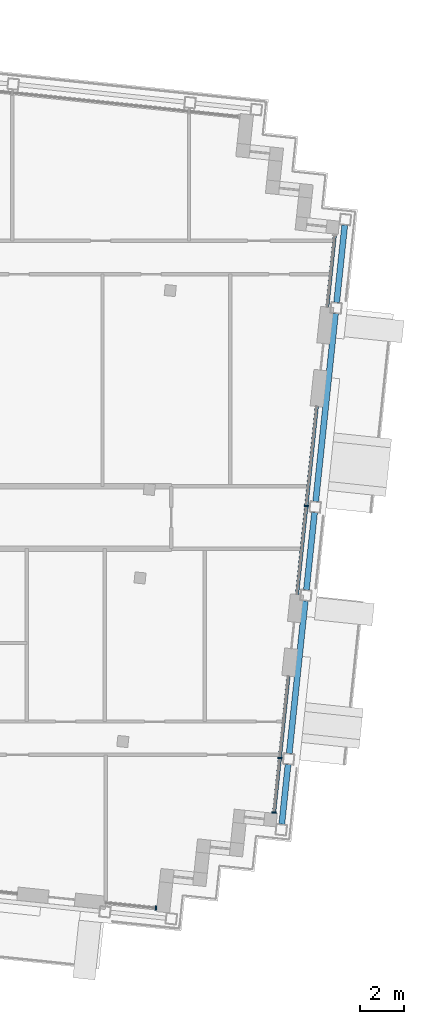
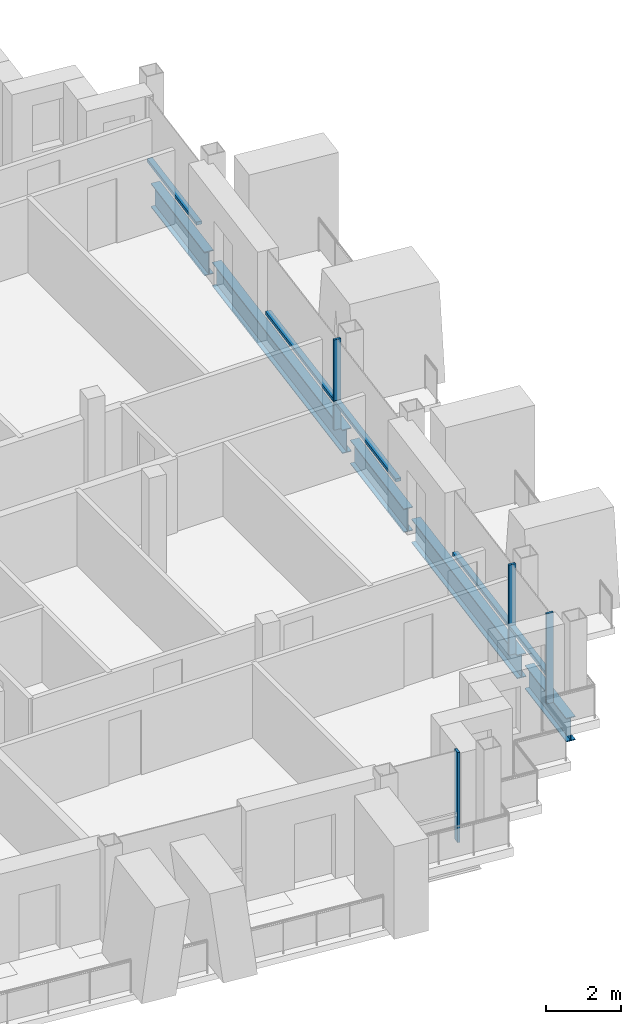
# One storey, part 4 of 16: 9 members, 5 beams, 4 elements without a shape of their own.
"""IFC4 building model written with IfcOpenShell, lengths in metres."""

from ifc_helpers import new_model, si_unit, direction, frame, origin, origin_2d, place, context, subcontext, project, spatial, rectangle, i_section, extrude, material, material_profile, profile_set, type_object, element, aggregate, save


model = new_model("IFC4")

# Units and contexts
model_context = context("Model", 3, precision=1e-05, world=origin(), true_north=direction((0.0, 1.0)))
body_context = subcontext(model_context, "Body", "Model", "MODEL_VIEW")
ifc_project = project(units=[si_unit("LENGTHUNIT", "METRE"), si_unit("AREAUNIT", "SQUARE_METRE"), si_unit("VOLUMEUNIT", "CUBIC_METRE"), si_unit("PLANEANGLEUNIT", "RADIAN"), si_unit("MASSUNIT", "GRAM", prefix="KILO")], contexts=[model_context])

# Site, building, storey
site_placement = place(None, origin())
site = spatial("IfcSite", under=ifc_project, at=site_placement, CompositionType="ELEMENT")
building_placement = place(site_placement, origin())
building = spatial("IfcBuilding", under=site, at=building_placement, Name="Vidyagriha Tower", CompositionType="ELEMENT")
storey_placement = place(building_placement, frame((0.0, 0.0, 259.5)))
storey = spatial("IfcBuildingStorey", under=building, at=storey_placement, Name="L67", CompositionType="ELEMENT", Elevation=259.5)

# Beams
ifc_material_1 = material(Name="Steel ASTM A992 Grade 50", Category="steel")
ifc_material_profile_1 = material_profile(ifc_material_1, i_section(OverallWidth=0.2666015625, OverallDepth=0.76953125, WebThickness=0.015625, FlangeThickness=0.025390625, at=origin_2d()), Name="W30X132")
ifc_profile_set_1 = profile_set([ifc_material_profile_1], Name="Steel ASTM A992 Grade 50")
beam_type = type_object("IfcBeamType", Name="Cantilever edge beam W30X132", PredefinedType="SPANDREL", material=ifc_profile_set_1)
beam_1_placement = place(storey_placement, frame((29.968017578125, -13.79736328125, -0.664794921875), z_axis=(0.104435320588, 0.994531680649, 0.0), x_axis=(-0.994531680649, 0.104435320588, 0.0)))
element("IfcBeam", 1, at=beam_1_placement, inside=storey, type_object=beam_type, Name="st-beam-L67-E13", PredefinedType="SPANDREL", context=body_context, shape_type="SweptSolid", body=[
    extrude(i_section(OverallWidth=0.2666015625, OverallDepth=0.76953125, WebThickness=0.015625, FlangeThickness=0.025390625, at=origin_2d()), origin(), (0.0, 0.0, 1.0), 2.699951171875),
])
beam_2_placement = place(storey_placement, frame((30.30224609375, -10.61474609375, -0.664794921875), z_axis=(0.104557694553, 0.994518822602, 0.0), x_axis=(-0.994518822602, 0.104557694553, 0.0)))
element("IfcBeam", 2, at=beam_2_placement, inside=storey, type_object=beam_type, Name="st-beam-L67-E14", PredefinedType="SPANDREL", context=body_context, shape_type="SweptSolid", body=[
    extrude(i_section(OverallWidth=0.2666015625, OverallDepth=0.76953125, WebThickness=0.015625, FlangeThickness=0.025390625, at=origin_2d()), origin(), (0.0, 0.0, 1.0), 6.89990234375),
])
beam_3_placement = place(storey_placement, frame((31.075927734375, -3.25537109375, -0.664794921875), z_axis=(0.104495960989, 0.994525310958, 0.0), x_axis=(-0.994525310958, 0.104495960989, 0.0)))
element("IfcBeam", 3, at=beam_3_placement, inside=storey, type_object=beam_type, Name="st-beam-L67-E15", PredefinedType="SPANDREL", context=body_context, shape_type="SweptSolid", body=[
    extrude(i_section(OverallWidth=0.2666015625, OverallDepth=0.76953125, WebThickness=0.015625, FlangeThickness=0.025390625, at=origin_2d()), origin(), (0.0, 0.0, 1.0), 3.499755859375),
])
beam_4_placement = place(storey_placement, frame((31.493896484375, 0.72265625, -0.664794921875), z_axis=(0.104550220202, 0.994519608382, 0.0), x_axis=(-0.994519608382, 0.104550220202, 0.0)))
element("IfcBeam", 4, at=beam_4_placement, inside=storey, type_object=beam_type, Name="st-beam-L67-E16", PredefinedType="SPANDREL", context=body_context, shape_type="SweptSolid", body=[
    extrude(i_section(OverallWidth=0.2666015625, OverallDepth=0.76953125, WebThickness=0.015625, FlangeThickness=0.025390625, at=origin_2d()), origin(), (0.0, 0.0, 1.0), 8.5),
])
beam_5_placement = place(storey_placement, frame((32.434814453125, 9.67333984375, -0.664794921875), z_axis=(0.104488712073, 0.994526072584, 0.0), x_axis=(-0.994526072584, 0.104488712073, 0.0)))
element("IfcBeam", 5, at=beam_5_placement, inside=storey, type_object=beam_type, Name="st-beam-L67-E17", PredefinedType="SPANDREL", context=body_context, shape_type="SweptSolid", body=[
    extrude(i_section(OverallWidth=0.2666015625, OverallDepth=0.76953125, WebThickness=0.015625, FlangeThickness=0.025390625, at=origin_2d()), origin(), (0.0, 0.0, 1.0), 3.5),
])

# Curtain wall, member
ifc_material_2 = material(Name="Aluminium and glass curtain wall", Category="aluminium")
curtain_wall_type = type_object("IfcCurtainWallType", Name="Dwelling skin unitised curtain wall", PredefinedType="USERDEFINED", material=ifc_material_2)
curtain_wall_1_placement = place(storey_placement, origin())
curtain_wall_1 = element("IfcCurtainWall", 6, at=curtain_wall_1_placement, inside=storey, type_object=curtain_wall_type, Name="CW1 dwelling skin", ObjectType="UNITISED", PredefinedType="USERDEFINED")
ifc_material_3 = material(Name="Aluminium black anodised", Category="aluminium")
ifc_material_profile_2 = material_profile(ifc_material_3, rectangle(XDim=0.199951171875, YDim=0.070068359375, at=origin_2d()), Name="Mullion 70x200 black aluminium")
ifc_profile_set_2 = profile_set([ifc_material_profile_2], Name="Aluminium black anodised")
member_type_1 = type_object("IfcMemberType", Name="Mullion 70x200 black aluminium", PredefinedType="MULLION", material=ifc_profile_set_2)
member_1_placement = place(storey_placement, frame((24.306884765625, -17.576171875, 0.0), z_axis=(0.0, 0.0, 1.0), x_axis=(0.10452182883, 0.994522592653, 0.0)))
member_1 = element("IfcMember", 7, at=member_1_placement, type_object=member_type_1, Name="CW1 mullion 2", PredefinedType="MULLION", context=body_context, shape_type="SweptSolid", body=[
    extrude(rectangle(XDim=0.199951171875, YDim=0.070068359375, at=origin_2d()), origin(), (0.0, 0.0, 1.0), 2.919921875),
])
aggregate(curtain_wall_1, [member_1])

# Curtain wall, members
curtain_wall_2_placement = place(storey_placement, origin())
curtain_wall_2 = element("IfcCurtainWall", 8, at=curtain_wall_2_placement, inside=storey, type_object=curtain_wall_type, Name="CW1 dwelling skin", ObjectType="UNITISED", PredefinedType="USERDEFINED")
member_2_placement = place(storey_placement, frame((29.620849609375, -13.273193359375, 0.0), z_axis=(0.0, 0.0, 1.0), x_axis=(-0.994521437861, 0.10453281607, 0.0)))
member_2 = element("IfcMember", 9, at=member_2_placement, type_object=member_type_1, Name="CW1 mullion 1", PredefinedType="MULLION", context=body_context, shape_type="SweptSolid", body=[
    extrude(rectangle(XDim=0.199951171875, YDim=0.070068359375, at=origin_2d()), origin(), (0.0, 0.0, 1.0), 2.919921875),
])
member_3_placement = place(storey_placement, frame((29.87841796875, -10.82177734375, 0.0), z_axis=(0.0, 0.0, 1.0), x_axis=(-0.994521437861, 0.10453281607, 0.0)))
member_3 = element("IfcMember", 10, at=member_3_placement, type_object=member_type_1, Name="CW1 mullion 2", PredefinedType="MULLION", context=body_context, shape_type="SweptSolid", body=[
    extrude(rectangle(XDim=0.199951171875, YDim=0.070068359375, at=origin_2d()), origin(), (0.0, 0.0, 1.0), 2.919921875),
])

# Curtain wall, member
curtain_wall_3_placement = place(storey_placement, origin())
curtain_wall_3 = element("IfcCurtainWall", 11, at=curtain_wall_3_placement, inside=storey, type_object=curtain_wall_type, Name="CW1 dwelling skin", ObjectType="UNITISED", PredefinedType="USERDEFINED")
member_4_placement = place(storey_placement, frame((31.070068359375, 0.515869140625, 0.0), z_axis=(0.0, 0.0, 1.0), x_axis=(-0.994521750347, 0.104529843047, 0.0)))
member_4 = element("IfcMember", 12, at=member_4_placement, type_object=member_type_1, Name="CW1 mullion 2", PredefinedType="MULLION", context=body_context, shape_type="SweptSolid", body=[
    extrude(rectangle(XDim=0.199951171875, YDim=0.070068359375, at=origin_2d()), origin(), (0.0, 0.0, 1.0), 2.919921875),
])

# Member
ifc_material_4 = material(Name="Aluminium black anodised", Category="aluminium")
ifc_material_profile_3 = material_profile(ifc_material_4, rectangle(XDim=0.159912109375, YDim=0.10009765625, at=origin_2d()), Name="Transom 100x160 black aluminium")
ifc_profile_set_3 = profile_set([ifc_material_profile_3], Name="Aluminium black anodised")
member_type_2 = type_object("IfcMemberType", Name="Transom 100x160 black aluminium", PredefinedType="USERDEFINED", material=ifc_profile_set_3)
member_5_placement = place(storey_placement, frame((29.62451171875, -13.23828125, 0.89990234375), z_axis=(0.104488443352, 0.994526100817, 0.0), x_axis=(-0.994526100817, 0.104488443352, 0.0)))
member_5 = element("IfcMember", 13, at=member_5_placement, type_object=member_type_2, Name="CW1 transom 1.1", ObjectType="TRANSOM", PredefinedType="USERDEFINED", context=body_context, shape_type="SweptSolid", body=[
    extrude(rectangle(XDim=0.159912109375, YDim=0.10009765625, at=origin_2d()), origin(), (0.0, 0.0, 1.0), 2.39501953125),
])

member_6_placement = place(storey_placement, frame((29.882080078125, -10.786865234375, 0.89990234375), z_axis=(0.104521800028, 0.99452259568, 0.0), x_axis=(-0.99452259568, 0.104521800028, 0.0)))
member_6 = element("IfcMember", 14, at=member_6_placement, type_object=member_type_2, Name="CW1 transom 2.1", ObjectType="TRANSOM", PredefinedType="USERDEFINED", context=body_context, shape_type="SweptSolid", body=[
    extrude(rectangle(XDim=0.159912109375, YDim=0.10009765625, at=origin_2d()), origin(), (0.0, 0.0, 1.0), 3.664794921875),
])

aggregate(curtain_wall_2, [member_2, member_3, member_5, member_6])

member_7_placement = place(storey_placement, frame((30.65185546875, -3.462158203125, 0.89990234375), z_axis=(0.104550167438, 0.994519613929, 0.0), x_axis=(-0.994519613929, 0.104550167438, 0.0)))
member_7 = element("IfcMember", 15, at=member_7_placement, type_object=member_type_2, Name="CW1 transom 1.1", ObjectType="TRANSOM", PredefinedType="USERDEFINED", context=body_context, shape_type="SweptSolid", body=[
    extrude(rectangle(XDim=0.159912109375, YDim=0.10009765625, at=origin_2d()), origin(), (0.0, 0.0, 1.0), 3.965087890625),
])

member_8_placement = place(storey_placement, frame((31.07373046875, 0.55078125, 0.89990234375), z_axis=(0.104494075643, 0.994525509052, 0.0), x_axis=(-0.994525509052, 0.104494075643, 0.0)))
member_8 = element("IfcMember", 16, at=member_8_placement, type_object=member_type_2, Name="CW1 transom 2.1", ObjectType="TRANSOM", PredefinedType="USERDEFINED", context=body_context, shape_type="SweptSolid", body=[
    extrude(rectangle(XDim=0.159912109375, YDim=0.10009765625, at=origin_2d()), origin(), (0.0, 0.0, 1.0), 4.46484375),
])

aggregate(curtain_wall_3, [member_4, member_7, member_8])

# Curtain wall, member
curtain_wall_4_placement = place(storey_placement, origin())
curtain_wall_4 = element("IfcCurtainWall", 17, at=curtain_wall_4_placement, inside=storey, type_object=curtain_wall_type, Name="CW1 dwelling skin", ObjectType="UNITISED", PredefinedType="USERDEFINED")
member_9_placement = place(storey_placement, frame((32.0107421875, 9.466552734375, 0.89990234375), z_axis=(0.104531339354, 0.994521593075, 0.0), x_axis=(-0.994521593075, 0.104531339354, 0.0)))
member_9 = element("IfcMember", 18, at=member_9_placement, type_object=member_type_2, Name="CW1 transom 1.1", ObjectType="TRANSOM", PredefinedType="USERDEFINED", context=body_context, shape_type="SweptSolid", body=[
    extrude(rectangle(XDim=0.159912109375, YDim=0.10009765625, at=origin_2d()), origin(), (0.0, 0.0, 1.0), 3.22998046875),
])
aggregate(curtain_wall_4, [member_9])

save(model, "model.ifc")
